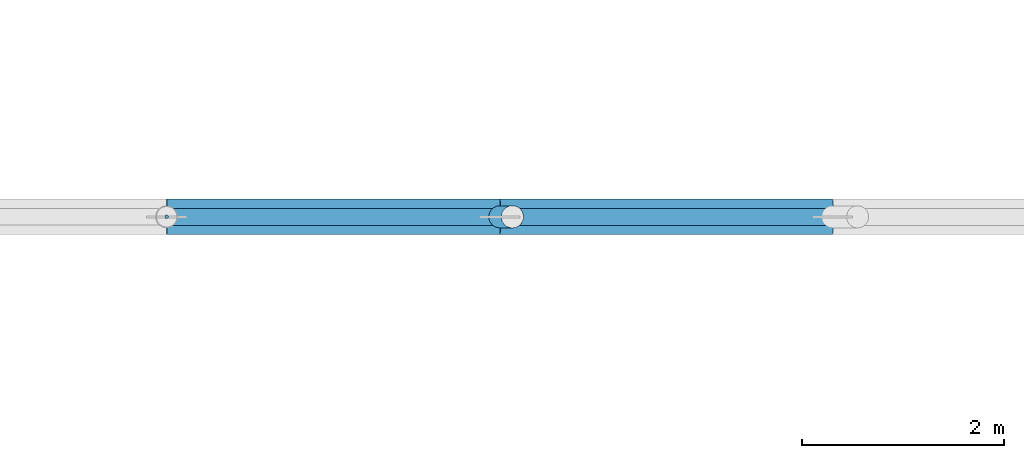
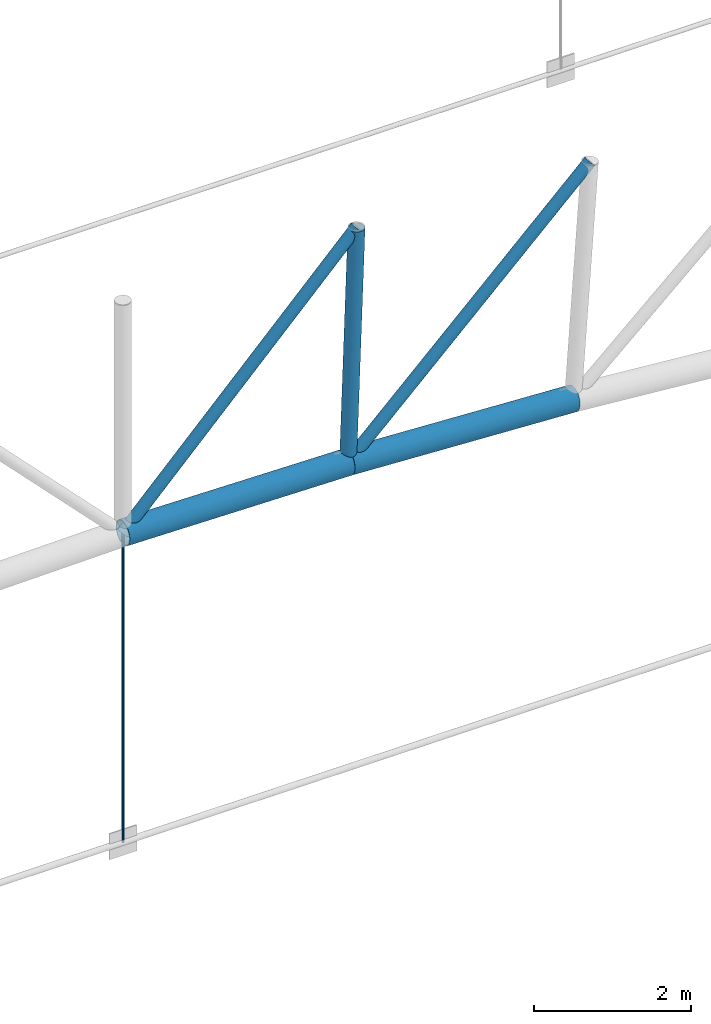
# One storey, part 156 of 321: 6 members.
"""IFC4 building model written with IfcOpenShell, lengths in metres."""

from ifc_helpers import new_model, si_unit, direction, frame, origin, origin_2d, place, context, subcontext, project, spatial, circle, hollow_circle, extrude, material, material_profile, profile_set, type_object, element, save


model = new_model("IFC4")

# Units and contexts
model_context = context("Model", 3, precision=1e-05, world=origin(), true_north=direction((0.0, 1.0)))
body_context = subcontext(model_context, "Body", "Model", "MODEL_VIEW")
ifc_project = project(units=[si_unit("LENGTHUNIT", "METRE"), si_unit("AREAUNIT", "SQUARE_METRE"), si_unit("VOLUMEUNIT", "CUBIC_METRE"), si_unit("PLANEANGLEUNIT", "RADIAN"), si_unit("MASSUNIT", "GRAM", prefix="KILO")], contexts=[model_context])

# Site, building, storey
site_placement = place(None, origin())
site = spatial("IfcSite", under=ifc_project, at=site_placement, CompositionType="ELEMENT")
building_placement = place(site_placement, origin())
building = spatial("IfcBuilding", under=site, at=building_placement, Name="Ravi Spectrum Wholesale Market", CompositionType="ELEMENT")
storey_placement = place(building_placement, frame((0.0, 0.0, 10.800048828125)))
storey = spatial("IfcBuildingStorey", under=building, at=storey_placement, Name="L02", CompositionType="ELEMENT", Elevation=10.800048828125)

# Members
ifc_material_1 = material(Name="Steel S355", Category="steel")
ifc_material_profile_1 = material_profile(ifc_material_1, hollow_circle(Radius=0.084228515625, WallThickness=0.00634765625, at=origin_2d()))
ifc_profile_set_1 = profile_set([ifc_material_profile_1], Name="Steel S355")
member_type_1 = type_object("IfcMemberType", Name="CHS 168.3x6.3 brace", PredefinedType="BRACE", material=ifc_profile_set_1)
for number, where, z_axis, x_axis, name in (
    (1, (73.4296875, 150.0, 8.3408203125), (-0.695749704847, 0.0, -0.718284308756), (0.0, -1.0, 0.0), "H1-MB-L02-893"),
    (2, (76.85546875, 150.0, 8.163330078125), (-0.7201093859, 0.0, -0.69386055684), (0.0, -1.0, 0.0), "H1-MB-L02-894"),
):
    element("IfcMember", number, at=place(storey_placement, frame(where, z_axis=z_axis, x_axis=x_axis)), inside=storey, type_object=member_type_1, Name=name, PredefinedType="BRACE", context=body_context, shape_type="SweptSolid", body=[
        extrude(hollow_circle(Radius=0.084228515625, WallThickness=0.00634765625, at=origin_2d()), origin(), (0.0, 0.0, 1.0), 4.929443359375),
    ])
ifc_material_2 = material(Name="Steel S355", Category="steel")
ifc_material_profile_2 = material_profile(ifc_material_2, hollow_circle(Radius=0.109619140625, WallThickness=0.008056640625, at=origin_2d()))
ifc_profile_set_2 = profile_set([ifc_material_profile_2], Name="Steel S355")
member_type_2 = type_object("IfcMemberType", Name="CHS 219.1x8 post", PredefinedType="POST", material=ifc_profile_set_2)
member_1_placement = place(storey_placement, frame((73.4296875, 150.0, 8.3408203125), z_axis=(-0.034450597287, 0.0, -0.999406401994), x_axis=(0.0, -1.0, 0.0)))
element("IfcMember", 3, at=member_1_placement, inside=storey, type_object=member_type_2, Name="H1-MB-L02-871", PredefinedType="POST", context=body_context, shape_type="SweptSolid", body=[
    extrude(hollow_circle(Radius=0.109619140625, WallThickness=0.008056640625, at=origin_2d()), origin(), (0.0, 0.0, 1.0), 3.60009765625),
])
ifc_material_3 = material(Name="Steel S355", Category="steel")
ifc_material_profile_3 = material_profile(ifc_material_3, hollow_circle(Radius=0.177734375, WallThickness=0.012451171875, at=origin_2d()))
ifc_profile_set_3 = profile_set([ifc_material_profile_3], Name="Steel S355")
member_type_3 = type_object("IfcMemberType", Name="CHS 355.6x12.5 chord", PredefinedType="CHORD", material=ifc_profile_set_3)
for number, where, z_axis, x_axis, name in (
    (4, (70.0, 150.0, 4.800048828125), (0.999850697486, 0.0, -0.017279546766), (0.0, 1.0, 0.0), "H1-MB-L02-847"),
    (5, (73.3056640625, 150.0, 4.742919921875), (0.99866314533, 0.0, -0.051690638992), (0.0, 1.0, 0.0), "H1-MB-L02-848"),
):
    element("IfcMember", number, at=place(storey_placement, frame(where, z_axis=z_axis, x_axis=x_axis)), inside=storey, type_object=member_type_3, Name=name, PredefinedType="CHORD", context=body_context, shape_type="SweptSolid", body=[
        extrude(hollow_circle(Radius=0.177734375, WallThickness=0.012451171875, at=origin_2d()), origin(), (0.0, 0.0, 1.0), 3.30615234375),
    ])
ifc_material_4 = material(Name="Steel S355", Category="steel")
ifc_material_profile_4 = material_profile(ifc_material_4, circle(Radius=0.01806640625, at=origin_2d()))
ifc_profile_set_4 = profile_set([ifc_material_profile_4], Name="Steel S355")
member_type_4 = type_object("IfcMemberType", Name="ROD 36 hanger", PredefinedType="STRUT", material=ifc_profile_set_4)
member_2_placement = place(storey_placement, frame((70.0, 150.0, 0.0), z_axis=(0.0, 0.0, 1.0), x_axis=(1.0, 0.0, 0.0)))
element("IfcMember", 6, at=member_2_placement, inside=storey, type_object=member_type_4, Name="H1-MB-L02-907", PredefinedType="STRUT", context=body_context, shape_type="SweptSolid", body=[
    extrude(circle(Radius=0.01806640625, at=origin_2d()), origin(), (0.0, 0.0, 1.0), 4.800048828125),
])

save(model, "model.ifc")
